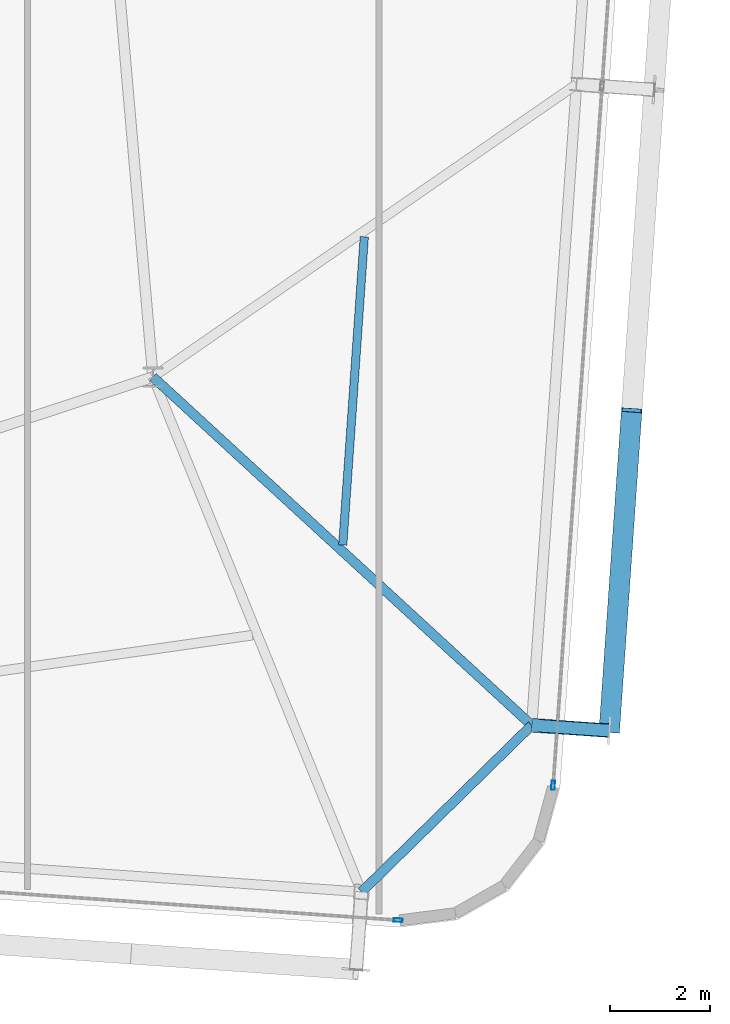
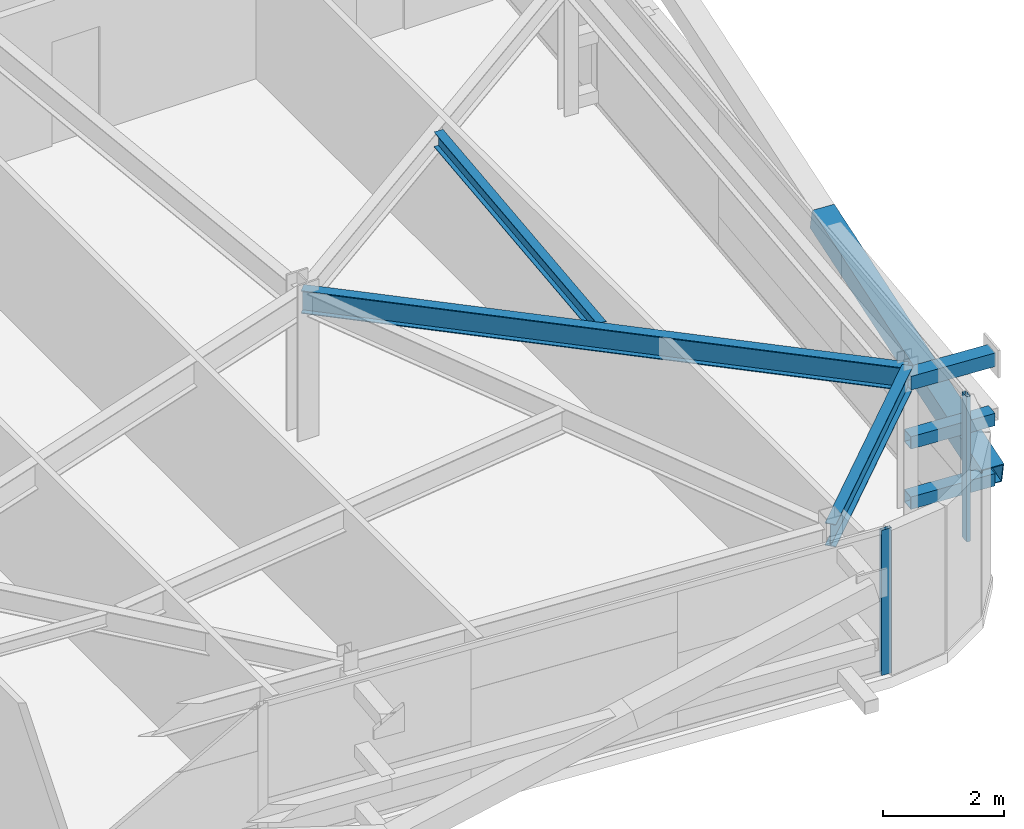
# One storey, part 15 of 39: 6 members, 3 beams, 2 elements without a shape of their own.
"""IFC4 building model written with IfcOpenShell, lengths in metres."""

from ifc_helpers import new_model, si_unit, direction, frame, origin, origin_2d, place, context, subcontext, project, spatial, hollow_rectangle, i_section, extrude, source, transform, mapped, material, layer, layer_set, material_profile, profile_set, type_object, element, aggregate, save


model = new_model("IFC4")

# Units and contexts
model_context = context("Model", 3, precision=1e-05, world=origin(), true_north=direction((0.0, 1.0)))
body_context = subcontext(model_context, "Body", "Model", "MODEL_VIEW")
ifc_project = project(units=[si_unit("LENGTHUNIT", "METRE"), si_unit("AREAUNIT", "SQUARE_METRE"), si_unit("VOLUMEUNIT", "CUBIC_METRE"), si_unit("PLANEANGLEUNIT", "RADIAN"), si_unit("MASSUNIT", "GRAM", prefix="KILO")], contexts=[model_context])

# Site, building, storey
site_placement = place(None, origin())
site = spatial("IfcSite", under=ifc_project, at=site_placement, CompositionType="ELEMENT")
building_placement = place(site_placement, origin())
building = spatial("IfcBuilding", under=site, at=building_placement, Name="Taldren Reach Tower", CompositionType="ELEMENT")
storey_placement = place(building_placement, frame((0.0, 0.0, 151.89990234375)))
storey = spatial("IfcBuildingStorey", under=building, at=storey_placement, Name="L46", CompositionType="ELEMENT", Elevation=151.89990234375)

# Members
ifc_material_1 = material(Name="Steel Gr 450 (C450L0)", Category="steel")
ifc_material_profile_1 = material_profile(ifc_material_1, hollow_rectangle(XDim=0.27490234375, YDim=0.27490234375, WallThickness=0.00927734375, at=origin_2d()), Name="275x275x9.3SHS")
ifc_profile_set_1 = profile_set([ifc_material_profile_1], Name="Steel Gr 450 (C450L0)")
member_type_1 = type_object("IfcMemberType", Name="MB-TIE273", PredefinedType="STRUT", material=ifc_profile_set_1)
shared_shape_1 = source(origin(), body_context, "Body", "SweptSolid", [
    extrude(hollow_rectangle(XDim=0.27490234375, YDim=0.27490234375, WallThickness=0.00927734375, at=origin_2d()), origin(), (0.0, 0.0, 1.0), 1.5498046875),
])
member_1_placement = place(storey_placement, frame((59.54541015625, 5.562744140625, 2.650146484375), z_axis=(0.997573320145, -0.069623781384, 0.0), x_axis=(0.069623781384, 0.997573320145, 0.0)))
element("IfcMember", 1, at=member_1_placement, inside=storey, type_object=member_type_1, Name="Exoskeleton diaphragm tie strut B3-E1 L46", PredefinedType="STRUT", context=body_context, shape_type="MappedRepresentation", body=[
    mapped(shared_shape_1, transform((0.0, 0.0, 0.0), scale=1.0)),
])
ifc_material_2 = material(Name="Steel Gr 350 (C350L0)", Category="steel")
ifc_material_profile_2 = material_profile(ifc_material_2, hollow_rectangle(XDim=0.25, YDim=0.25, WallThickness=0.010009765625, at=origin_2d()), Name="250x250x10.0SHS")
ifc_profile_set_2 = profile_set([ifc_material_profile_2], Name="Steel Gr 350 (C350L0)")
member_type_2 = type_object("IfcMemberType", Name="MB-POST250", PredefinedType="POST", material=ifc_profile_set_2)
shared_shape_2 = source(origin(), body_context, "Body", "SweptSolid", [
    extrude(hollow_rectangle(XDim=0.25, YDim=0.25, WallThickness=0.010009765625, at=origin_2d()), origin(), (0.0, 0.0, 1.0), 1.5498046875),
])
for number, where, z_axis, x_axis, name in (
    (2, (59.54541015625, 5.562744140625, 0.22021484375), (0.997573320145, -0.069623781384, 0.0), (0.069623781384, 0.997573320145, 0.0), "Exoskeleton base diaphragm tie strut B3-E1 L46"),
    (3, (59.54541015625, 5.562744140625, 1.43505859375), (0.997573320145, -0.069623781384, 0.0), (0.069623781384, 0.997573320145, 0.0), "Exoskeleton mid-tier diaphragm tie B3-E1 L46"),
):
    element("IfcMember", number, at=place(storey_placement, frame(where, z_axis=z_axis, x_axis=x_axis)), inside=storey, type_object=member_type_2, Name=name, PredefinedType="POST", context=body_context, shape_type="MappedRepresentation", body=[
        mapped(shared_shape_2, transform((0.0, 0.0, 0.0), scale=1.0)),
    ])

# Beams
ifc_material_3 = material(Name="Steel Gr 350 (350PLUS)", Category="steel")
ifc_material_profile_3 = material_profile(ifc_material_3, i_section(OverallWidth=0.18994140625, OverallDepth=0.4541015625, WebThickness=0.008544921875, FlangeThickness=0.0126953125, at=origin_2d()), Name="460UB67.1")
ifc_profile_set_3 = profile_set([ifc_material_profile_3], Name="Steel Gr 350 (350PLUS)")
beam_type_1 = type_object("IfcBeamType", Name="SP-UB460B", PredefinedType="SPANDREL", material=ifc_profile_set_3)
shared_shape_3 = source(origin(), body_context, "Body", "SweptSolid", [
    extrude(i_section(OverallWidth=0.18994140625, OverallDepth=0.4541015625, WebThickness=0.008544921875, FlangeThickness=0.0126953125, at=origin_2d()), origin(), (0.0, 0.0, 1.0), 4.745849609375),
])
beam_1_placement = place(storey_placement, frame((56.155517578125, 2.2412109375, 2.703125), z_axis=(0.714271982806, 0.699868226581, 0.0), x_axis=(-0.699868226581, 0.714271982806, 0.0)))
element("IfcBeam", 4, at=beam_1_placement, inside=storey, type_object=beam_type_1, Name="Perimeter spandrel B3 S6-E1 L46", PredefinedType="SPANDREL", context=body_context, shape_type="MappedRepresentation", body=[
    mapped(shared_shape_3, transform((0.0, 0.0, 0.0), scale=1.0)),
])
ifc_material_profile_4 = material_profile(ifc_material_3, i_section(OverallWidth=0.19091796875, OverallDepth=0.4599609375, WebThickness=0.010009765625, FlangeThickness=0.01611328125, at=origin_2d()), Name="460UB82.1")
ifc_profile_set_4 = profile_set([ifc_material_profile_4], Name="Steel Gr 350 (350PLUS)")
beam_type_2 = type_object("IfcBeamType", Name="BM-UB460A", PredefinedType="BEAM", material=ifc_profile_set_4)
shared_shape_4 = source(origin(), body_context, "Body", "SweptSolid", [
    extrude(i_section(OverallWidth=0.19091796875, OverallDepth=0.4599609375, WebThickness=0.010009765625, FlangeThickness=0.01611328125, at=origin_2d()), origin(), (0.0, 0.0, 1.0), 10.249755859375),
])
beam_2_placement = place(storey_placement, frame((52.0, 12.5, 2.7001953125), z_axis=(0.736150772628, -0.676817582483, 0.0), x_axis=(0.676817582483, 0.736150772628, 0.0)))
element("IfcBeam", 5, at=beam_2_placement, inside=storey, type_object=beam_type_2, Name="Primary floor girder B3-E1 L46", PredefinedType="BEAM", context=body_context, shape_type="MappedRepresentation", body=[
    mapped(shared_shape_4, transform((0.0, 0.0, 0.0), scale=1.0)),
])
ifc_material_4 = material(Name="Steel Gr 300 (300PLUS, 300 MPa)", Category="steel")
ifc_material_profile_5 = material_profile(ifc_material_4, i_section(OverallWidth=0.166015625, OverallDepth=0.306884765625, WebThickness=0.006591796875, FlangeThickness=0.01171875, at=origin_2d()), Name="310UB46.2")
ifc_profile_set_5 = profile_set([ifc_material_profile_5], Name="Steel Gr 300 (300PLUS, 300 MPa)")
beam_type_3 = type_object("IfcBeamType", Name="JS-UB310", PredefinedType="JOIST", material=ifc_profile_set_5)
shared_shape_5 = source(origin(), body_context, "Body", "SweptSolid", [
    extrude(i_section(OverallWidth=0.166015625, OverallDepth=0.306884765625, WebThickness=0.006591796875, FlangeThickness=0.01171875, at=origin_2d()), origin(), (0.0, 0.0, 1.0), 6.155517578125),
])
beam_3_placement = place(storey_placement, frame((55.78125, 9.1533203125, 2.776611328125), z_axis=(0.069764400024, 0.997563495969, 0.0), x_axis=(-0.997563495969, 0.069764400024, 0.0)))
element("IfcBeam", 6, at=beam_3_placement, inside=storey, type_object=beam_type_3, Name="Secondary floor joist B3 J7 L46", PredefinedType="JOIST", context=body_context, shape_type="MappedRepresentation", body=[
    mapped(shared_shape_5, transform((0.0, 0.0, 0.0), scale=1.0)),
])

# Member
ifc_material_profile_6 = material_profile(ifc_material_1, hollow_rectangle(XDim=0.409912109375, YDim=0.409912109375, WallThickness=0.01611328125, at=origin_2d()), Name="410x410x16.0SHS")
ifc_profile_set_6 = profile_set([ifc_material_profile_6], Name="Steel Gr 450 (C450L0)")
member_type_3 = type_object("IfcMemberType", Name="MB-EXO406", PredefinedType="BRACE", material=ifc_profile_set_6)
shared_shape_6 = source(origin(), body_context, "Body", "SweptSolid", [
    extrude(hollow_rectangle(XDim=0.409912109375, YDim=0.409912109375, WallThickness=0.01611328125, at=origin_2d()), origin(), (0.0, 0.0, 1.0), 6.51416015625),
])
member_2_placement = place(storey_placement, frame((61.091552734375, 5.454833984375, 0.22021484375), z_axis=(0.068548123702, 0.980062020128, 0.186492872358), x_axis=(-0.997562951496, 0.069772185021, 0.0)))
element("IfcMember", 7, at=member_2_placement, inside=storey, type_object=member_type_3, Name="Exoskeleton Diagrid Brace B3-E1 L46", PredefinedType="BRACE", context=body_context, shape_type="MappedRepresentation", body=[
    mapped(shared_shape_6, transform((0.0, 0.0, 0.0), scale=1.0)),
])

# Curtain wall, member
ifc_material_5 = material(Name="Aluminium and Low-E Glass Unitised System", Category="aluminium")
ifc_layer = layer(ifc_material_5, 0.159912109375)
ifc_layer_set = layer_set([ifc_layer], Name="Aluminium and Low-E Glass Unitised System")
curtain_wall_type = type_object("IfcCurtainWallType", Name="CW-SYS-4", PredefinedType="NOTDEFINED", material=ifc_layer_set)
curtain_wall_1_placement = place(storey_placement, origin())
curtain_wall_1 = element("IfcCurtainWall", 8, at=curtain_wall_1_placement, inside=storey, type_object=curtain_wall_type, Name="Unitised curtain wall CW-L46-S", PredefinedType="NOTDEFINED")
ifc_material_6 = material(Name="Anodised Aluminium 6063-T6", Category="aluminium")
ifc_material_profile_7 = material_profile(ifc_material_6, hollow_rectangle(XDim=0.070068359375, YDim=0.179931640625, WallThickness=0.00390625, at=origin_2d()), Name="ALU-180x70x4RHS")
ifc_profile_set_7 = profile_set([ifc_material_profile_7], Name="Anodised Aluminium 6063-T6")
member_type_4 = type_object("IfcMemberType", Name="CW-MUL-180", PredefinedType="MULLION", material=ifc_profile_set_7)
shared_shape_7 = source(origin(), body_context, "Body", "SweptSolid", [
    extrude(hollow_rectangle(XDim=0.070068359375, YDim=0.179931640625, WallThickness=0.00390625, at=origin_2d()), origin(), (0.0, 0.0, 1.0), 2.93017578125),
])
member_3_placement = place(storey_placement, frame((56.883056640625, 1.67919921875, 0.0), z_axis=(0.0, 0.0, 1.0), x_axis=(0.06975651593, 0.99756404731, 0.0)))
member_3 = element("IfcMember", 9, at=member_3_placement, type_object=member_type_4, Name="CW-4 mullion 5", PredefinedType="MULLION", context=body_context, shape_type="MappedRepresentation", body=[
    mapped(shared_shape_7, transform((0.0, 0.0, 0.0), scale=1.0)),
])
aggregate(curtain_wall_1, [member_3])

curtain_wall_2_placement = place(storey_placement, origin())
curtain_wall_2 = element("IfcCurtainWall", 10, at=curtain_wall_2_placement, inside=storey, type_object=curtain_wall_type, Name="Unitised curtain wall CW-L46-E", PredefinedType="NOTDEFINED")
member_4_placement = place(storey_placement, frame((59.972900390625, 4.365234375, 0.0), z_axis=(0.0, 0.0, 1.0), x_axis=(-0.997564052812, 0.069756437251, 0.0)))
member_4 = element("IfcMember", 11, at=member_4_placement, type_object=member_type_4, Name="CW-4 mullion 1", PredefinedType="MULLION", context=body_context, shape_type="MappedRepresentation", body=[
    mapped(shared_shape_7, transform((0.0, 0.0, 0.0), scale=1.0)),
])
aggregate(curtain_wall_2, [member_4])

save(model, "model.ifc")
